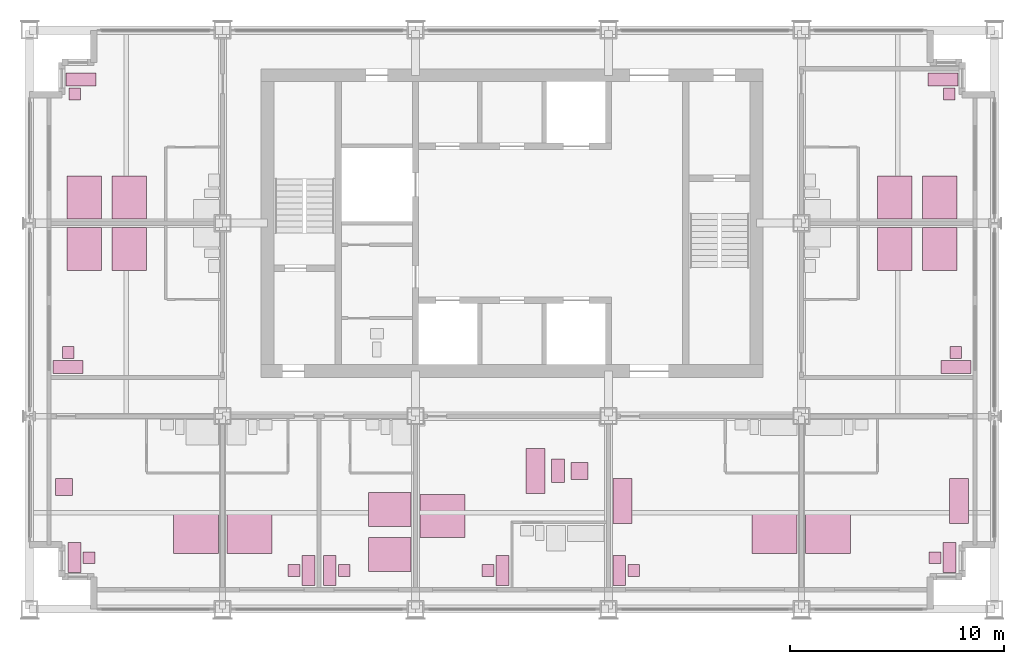
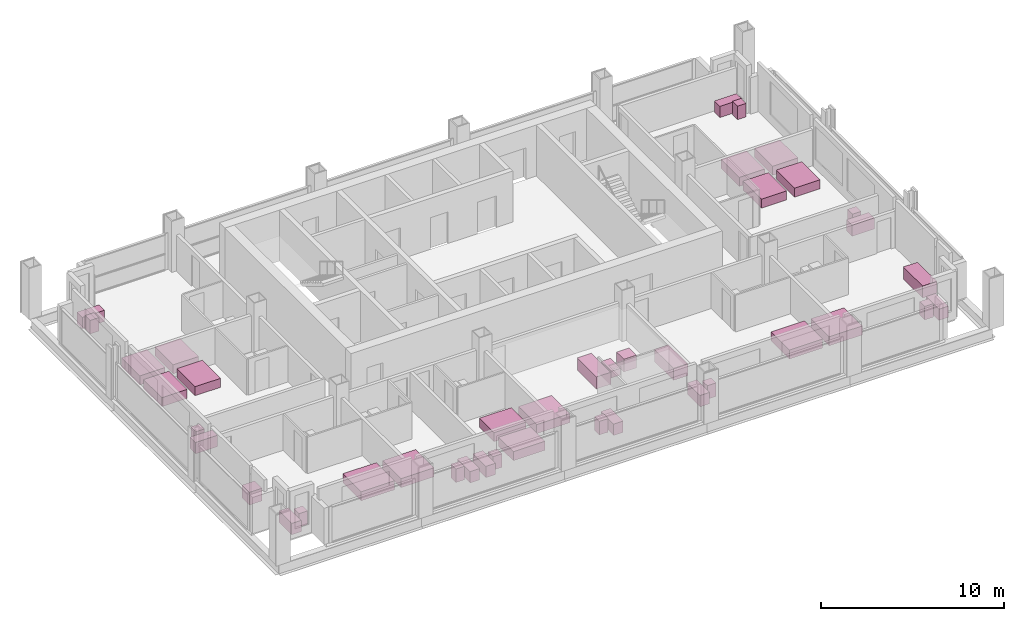
# One storey, part 13 of 13: 41 furniture elements.
"""IFC4 building model written with IfcOpenShell, lengths in metres."""

from ifc_helpers import new_model, si_unit, direction, frame, origin, origin_2d, place, context, subcontext, project, spatial, rectangle, extrude, element, save


model = new_model("IFC4")

# Units and contexts
model_context = context("Model", 3, precision=1e-05, world=origin(), true_north=direction((0.0, 1.0)))
body_context = subcontext(model_context, "Body", "Model", "MODEL_VIEW")
ifc_project = project(units=[si_unit("LENGTHUNIT", "METRE"), si_unit("AREAUNIT", "SQUARE_METRE"), si_unit("VOLUMEUNIT", "CUBIC_METRE"), si_unit("PLANEANGLEUNIT", "RADIAN"), si_unit("MASSUNIT", "GRAM", prefix="KILO")], contexts=[model_context])

# Site, building, storey
site_placement = place(None, origin())
site = spatial("IfcSite", under=ifc_project, at=site_placement, CompositionType="ELEMENT")
building_placement = place(site_placement, origin())
building = spatial("IfcBuilding", under=site, at=building_placement, Name="Loomwork Tower", CompositionType="ELEMENT")
storey_placement = place(building_placement, frame((0.0, 0.0, 187.60009765625)))
storey = spatial("IfcBuildingStorey", under=building, at=storey_placement, Name="L51", CompositionType="ELEMENT", Elevation=187.60009765625)

# Furniture
furniture_1_placement = place(storey_placement, frame((7.75, 3.60009765625, -0.000244140625), z_axis=(0.0, 0.0, 1.0), x_axis=(1.0, 0.0, 0.0)))
element("IfcFurniture", 1, at=furniture_1_placement, inside=storey, Name="King bed L51", PredefinedType="BED", context=body_context, shape_type="SweptSolid", body=[
    extrude(rectangle(XDim=2.10009765625, YDim=2.0, at=origin_2d()), origin(), (0.0, 0.0, 1.0), 0.60009765625),
])
furniture_2_placement = place(storey_placement, frame((2.10009765625, 2.39990234375, 0.0), z_axis=(0.0, 0.0, 1.0), x_axis=(1.0, 0.0, 0.0)))
element("IfcFurniture", 2, at=furniture_2_placement, inside=storey, Name="Writing desk L51", PredefinedType="DESK", context=body_context, shape_type="SweptSolid", body=[
    extrude(rectangle(XDim=0.60009765625, YDim=1.39990234375, at=origin_2d()), origin(), (0.0, 0.0, 1.0), 0.75),
])
furniture_3_placement = place(storey_placement, frame((2.77490234375, 2.39990234375, 0.0), z_axis=(0.0, 0.0, 1.0), x_axis=(1.0, 0.0, 0.0)))
element("IfcFurniture", 3, at=furniture_3_placement, inside=storey, Name="Desk chair L51", PredefinedType="CHAIR", context=body_context, shape_type="SweptSolid", body=[
    extrude(rectangle(XDim=0.550048828125, YDim=0.550048828125, at=origin_2d()), origin(), (0.0, 0.0, 1.0), 0.89990234375),
])
furniture_4_placement = place(storey_placement, frame((1.60009765625, 5.699951171875, -0.000244140625), z_axis=(0.0, 0.0, 1.0), x_axis=(1.0, 0.0, 0.0)))
element("IfcFurniture", 4, at=furniture_4_placement, inside=storey, Name="Lounge armchair L51", PredefinedType="CHAIR", context=body_context, shape_type="SweptSolid", body=[
    extrude(rectangle(XDim=0.800048828125, YDim=0.800048828125, at=origin_2d()), origin(), (0.0, 0.0, 1.0), 0.85009765625),
])
furniture_5_placement = place(storey_placement, frame((10.25, 3.60009765625, -0.000244140625), z_axis=(0.0, 0.0, 1.0), x_axis=(1.0, 0.0, 0.0)))
element("IfcFurniture", 5, at=furniture_5_placement, inside=storey, Name="King bed L51", PredefinedType="BED", context=body_context, shape_type="SweptSolid", body=[
    extrude(rectangle(XDim=2.10009765625, YDim=2.0, at=origin_2d()), origin(), (0.0, 0.0, 1.0), 0.60009765625),
])
furniture_6_placement = place(storey_placement, frame((13.0, 1.800048828125, 0.0), z_axis=(0.0, 0.0, 1.0), x_axis=(1.0, 0.0, 0.0)))
element("IfcFurniture", 6, at=furniture_6_placement, inside=storey, Name="Writing desk L51", PredefinedType="DESK", context=body_context, shape_type="SweptSolid", body=[
    extrude(rectangle(XDim=0.60009765625, YDim=1.39990234375, at=origin_2d()), origin(), (0.0, 0.0, 1.0), 0.75),
])
furniture_7_placement = place(storey_placement, frame((12.324951171875, 1.800048828125, 0.0), z_axis=(0.0, 0.0, 1.0), x_axis=(1.0, 0.0, 0.0)))
element("IfcFurniture", 7, at=furniture_7_placement, inside=storey, Name="Desk chair L51", PredefinedType="CHAIR", context=body_context, shape_type="SweptSolid", body=[
    extrude(rectangle(XDim=0.550048828125, YDim=0.550048828125, at=origin_2d()), origin(), (0.0, 0.0, 1.0), 0.89990234375),
])
for number, where, z_axis, x_axis, name in (
    (8, (16.800048828125, 4.64990234375, -0.000244140625), (0.0, 0.0, 1.0), (1.0, 0.0, 0.0), "Queen bed L51"),
    (9, (16.800048828125, 2.550048828125, -0.000244140625), (0.0, 0.0, 1.0), (1.0, 0.0, 0.0), "Queen bed L51"),
):
    element("IfcFurniture", number, at=place(storey_placement, frame(where, z_axis=z_axis, x_axis=x_axis)), inside=storey, Name=name, PredefinedType="BED", context=body_context, shape_type="SweptSolid", body=[
        extrude(rectangle(XDim=2.0, YDim=1.60009765625, at=origin_2d()), origin(), (0.0, 0.0, 1.0), 0.60009765625),
    ])
furniture_8_placement = place(storey_placement, frame((14.0, 1.800048828125, 0.0), z_axis=(0.0, 0.0, 1.0), x_axis=(1.0, 0.0, 0.0)))
element("IfcFurniture", 10, at=furniture_8_placement, inside=storey, Name="Writing desk L51", PredefinedType="DESK", context=body_context, shape_type="SweptSolid", body=[
    extrude(rectangle(XDim=0.60009765625, YDim=1.39990234375, at=origin_2d()), origin(), (0.0, 0.0, 1.0), 0.75),
])
furniture_9_placement = place(storey_placement, frame((14.675048828125, 1.800048828125, 0.0), z_axis=(0.0, 0.0, 1.0), x_axis=(1.0, 0.0, 0.0)))
element("IfcFurniture", 11, at=furniture_9_placement, inside=storey, Name="Desk chair L51", PredefinedType="CHAIR", context=body_context, shape_type="SweptSolid", body=[
    extrude(rectangle(XDim=0.550048828125, YDim=0.550048828125, at=origin_2d()), origin(), (0.0, 0.0, 1.0), 0.89990234375),
])
furniture_10_placement = place(storey_placement, frame((19.25, 4.35009765625, -0.000244140625), z_axis=(0.0, 0.0, 1.0), x_axis=(1.0, 0.0, 0.0)))
element("IfcFurniture", 12, at=furniture_10_placement, inside=storey, Name="King bed L51", PredefinedType="BED", context=body_context, shape_type="SweptSolid", body=[
    extrude(rectangle(XDim=2.10009765625, YDim=2.0, at=origin_2d()), origin(), (0.0, 0.0, 1.0), 0.60009765625),
])
furniture_11_placement = place(storey_placement, frame((22.050048828125, 1.800048828125, 0.0), z_axis=(0.0, 0.0, 1.0), x_axis=(1.0, 0.0, 0.0)))
element("IfcFurniture", 13, at=furniture_11_placement, inside=storey, Name="Writing desk L51", PredefinedType="DESK", context=body_context, shape_type="SweptSolid", body=[
    extrude(rectangle(XDim=0.60009765625, YDim=1.39990234375, at=origin_2d()), origin(), (0.0, 0.0, 1.0), 0.75),
])
furniture_12_placement = place(storey_placement, frame((21.375, 1.800048828125, 0.0), z_axis=(0.0, 0.0, 1.0), x_axis=(1.0, 0.0, 0.0)))
element("IfcFurniture", 14, at=furniture_12_placement, inside=storey, Name="Desk chair L51", PredefinedType="CHAIR", context=body_context, shape_type="SweptSolid", body=[
    extrude(rectangle(XDim=0.550048828125, YDim=0.550048828125, at=origin_2d()), origin(), (0.0, 0.0, 1.0), 0.89990234375),
])
furniture_13_placement = place(storey_placement, frame((23.60009765625, 6.449951171875, 0.0), z_axis=(0.0, 0.0, 1.0), x_axis=(1.0, 0.0, 0.0)))
element("IfcFurniture", 15, at=furniture_13_placement, inside=storey, Name="Sofa L51", PredefinedType="SOFA", context=body_context, shape_type="SweptSolid", body=[
    extrude(rectangle(XDim=0.89990234375, YDim=2.10009765625, at=origin_2d()), origin(), (0.0, 0.0, 1.0), 0.800048828125),
])
furniture_14_placement = place(storey_placement, frame((24.64990234375, 6.449951171875, 0.0), z_axis=(0.0, 0.0, 1.0), x_axis=(1.0, 0.0, 0.0)))
element("IfcFurniture", 16, at=furniture_14_placement, inside=storey, Name="Coffee table L51", PredefinedType="TABLE", context=body_context, shape_type="SweptSolid", body=[
    extrude(rectangle(XDim=0.60009765625, YDim=1.10009765625, at=origin_2d()), origin(), (0.0, 0.0, 1.0), 0.449951171875),
])
furniture_15_placement = place(storey_placement, frame((25.64990234375, 6.449951171875, -0.000244140625), z_axis=(0.0, 0.0, 1.0), x_axis=(1.0, 0.0, 0.0)))
element("IfcFurniture", 17, at=furniture_15_placement, inside=storey, Name="Lounge armchair L51", PredefinedType="CHAIR", context=body_context, shape_type="SweptSolid", body=[
    extrude(rectangle(XDim=0.800048828125, YDim=0.800048828125, at=origin_2d()), origin(), (0.0, 0.0, 1.0), 0.85009765625),
])
furniture_16_placement = place(storey_placement, frame((34.75, 3.60009765625, -0.000244140625), z_axis=(0.0, 0.0, 1.0), x_axis=(1.0, 0.0, 0.0)))
element("IfcFurniture", 18, at=furniture_16_placement, inside=storey, Name="King bed L51", PredefinedType="BED", context=body_context, shape_type="SweptSolid", body=[
    extrude(rectangle(XDim=2.10009765625, YDim=2.0, at=origin_2d()), origin(), (0.0, 0.0, 1.0), 0.60009765625),
])
furniture_17_placement = place(storey_placement, frame((27.5, 1.800048828125, 0.0), z_axis=(0.0, 0.0, 1.0), x_axis=(1.0, 0.0, 0.0)))
element("IfcFurniture", 19, at=furniture_17_placement, inside=storey, Name="Writing desk L51", PredefinedType="DESK", context=body_context, shape_type="SweptSolid", body=[
    extrude(rectangle(XDim=0.60009765625, YDim=1.39990234375, at=origin_2d()), origin(), (0.0, 0.0, 1.0), 0.75),
])
furniture_18_placement = place(storey_placement, frame((28.175048828125, 1.800048828125, 0.0), z_axis=(0.0, 0.0, 1.0), x_axis=(1.0, 0.0, 0.0)))
element("IfcFurniture", 20, at=furniture_18_placement, inside=storey, Name="Desk chair L51", PredefinedType="CHAIR", context=body_context, shape_type="SweptSolid", body=[
    extrude(rectangle(XDim=0.550048828125, YDim=0.550048828125, at=origin_2d()), origin(), (0.0, 0.0, 1.0), 0.89990234375),
])
furniture_19_placement = place(storey_placement, frame((27.64990234375, 5.050048828125, 0.0), z_axis=(0.0, 0.0, 1.0), x_axis=(1.0, 0.0, 0.0)))
element("IfcFurniture", 21, at=furniture_19_placement, inside=storey, Name="Sofa L51", PredefinedType="SOFA", context=body_context, shape_type="SweptSolid", body=[
    extrude(rectangle(XDim=0.89990234375, YDim=2.10009765625, at=origin_2d()), origin(), (0.0, 0.0, 1.0), 0.800048828125),
])
furniture_20_placement = place(storey_placement, frame((37.25, 3.60009765625, -0.000244140625), z_axis=(0.0, 0.0, 1.0), x_axis=(1.0, 0.0, 0.0)))
element("IfcFurniture", 22, at=furniture_20_placement, inside=storey, Name="King bed L51", PredefinedType="BED", context=body_context, shape_type="SweptSolid", body=[
    extrude(rectangle(XDim=2.10009765625, YDim=2.0, at=origin_2d()), origin(), (0.0, 0.0, 1.0), 0.60009765625),
])
furniture_21_placement = place(storey_placement, frame((42.89990234375, 2.39990234375, 0.0), z_axis=(0.0, 0.0, 1.0), x_axis=(1.0, 0.0, 0.0)))
element("IfcFurniture", 23, at=furniture_21_placement, inside=storey, Name="Writing desk L51", PredefinedType="DESK", context=body_context, shape_type="SweptSolid", body=[
    extrude(rectangle(XDim=0.60009765625, YDim=1.39990234375, at=origin_2d()), origin(), (0.0, 0.0, 1.0), 0.75),
])
furniture_22_placement = place(storey_placement, frame((42.22509765625, 2.39990234375, 0.0), z_axis=(0.0, 0.0, 1.0), x_axis=(1.0, 0.0, 0.0)))
element("IfcFurniture", 24, at=furniture_22_placement, inside=storey, Name="Desk chair L51", PredefinedType="CHAIR", context=body_context, shape_type="SweptSolid", body=[
    extrude(rectangle(XDim=0.550048828125, YDim=0.550048828125, at=origin_2d()), origin(), (0.0, 0.0, 1.0), 0.89990234375),
])
furniture_23_placement = place(storey_placement, frame((43.35009765625, 5.050048828125, 0.0), z_axis=(0.0, 0.0, 1.0), x_axis=(1.0, 0.0, 0.0)))
element("IfcFurniture", 25, at=furniture_23_placement, inside=storey, Name="Sofa L51", PredefinedType="SOFA", context=body_context, shape_type="SweptSolid", body=[
    extrude(rectangle(XDim=0.89990234375, YDim=2.10009765625, at=origin_2d()), origin(), (0.0, 0.0, 1.0), 0.800048828125),
])
for number, where, z_axis, x_axis, name in (
    (26, (4.64990234375, 16.800048828125, -0.000244140625), (0.0, 0.0, 1.0), (1.0, 0.0, 0.0), "Queen bed L51"),
    (27, (2.550048828125, 16.800048828125, -0.000244140625), (0.0, 0.0, 1.0), (1.0, 0.0, 0.0), "Queen bed L51"),
):
    element("IfcFurniture", number, at=place(storey_placement, frame(where, z_axis=z_axis, x_axis=x_axis)), inside=storey, Name=name, PredefinedType="BED", context=body_context, shape_type="SweptSolid", body=[
        extrude(rectangle(XDim=1.60009765625, YDim=2.0, at=origin_2d()), origin(), (0.0, 0.0, 1.0), 0.60009765625),
    ])
furniture_24_placement = place(storey_placement, frame((1.800048828125, 11.300048828125, 0.0), z_axis=(0.0, 0.0, 1.0), x_axis=(1.0, 0.0, 0.0)))
element("IfcFurniture", 28, at=furniture_24_placement, inside=storey, Name="Writing desk L51", PredefinedType="DESK", context=body_context, shape_type="SweptSolid", body=[
    extrude(rectangle(XDim=1.39990234375, YDim=0.60009765625, at=origin_2d()), origin(), (0.0, 0.0, 1.0), 0.75),
])
furniture_25_placement = place(storey_placement, frame((1.800048828125, 11.97509765625, 0.0), z_axis=(0.0, 0.0, 1.0), x_axis=(1.0, 0.0, 0.0)))
element("IfcFurniture", 29, at=furniture_25_placement, inside=storey, Name="Desk chair L51", PredefinedType="CHAIR", context=body_context, shape_type="SweptSolid", body=[
    extrude(rectangle(XDim=0.550048828125, YDim=0.550048828125, at=origin_2d()), origin(), (0.0, 0.0, 1.0), 0.89990234375),
])
for number, where, z_axis, x_axis, name in (
    (30, (4.64990234375, 19.199951171875, -0.000244140625), (0.0, 0.0, 1.0), (1.0, 0.0, 0.0), "Queen bed L51"),
    (31, (2.550048828125, 19.199951171875, -0.000244140625), (0.0, 0.0, 1.0), (1.0, 0.0, 0.0), "Queen bed L51"),
):
    element("IfcFurniture", number, at=place(storey_placement, frame(where, z_axis=z_axis, x_axis=x_axis)), inside=storey, Name=name, PredefinedType="BED", context=body_context, shape_type="SweptSolid", body=[
        extrude(rectangle(XDim=1.60009765625, YDim=2.0, at=origin_2d()), origin(), (0.0, 0.0, 1.0), 0.60009765625),
    ])
furniture_26_placement = place(storey_placement, frame((2.39990234375, 24.699951171875, 0.0), z_axis=(0.0, 0.0, 1.0), x_axis=(1.0, 0.0, 0.0)))
element("IfcFurniture", 32, at=furniture_26_placement, inside=storey, Name="Writing desk L51", PredefinedType="DESK", context=body_context, shape_type="SweptSolid", body=[
    extrude(rectangle(XDim=1.39990234375, YDim=0.60009765625, at=origin_2d()), origin(), (0.0, 0.0, 1.0), 0.75),
])
furniture_27_placement = place(storey_placement, frame((2.10009765625, 24.02490234375, 0.0), z_axis=(0.0, 0.0, 1.0), x_axis=(1.0, 0.0, 0.0)))
element("IfcFurniture", 33, at=furniture_27_placement, inside=storey, Name="Desk chair L51", PredefinedType="CHAIR", context=body_context, shape_type="SweptSolid", body=[
    extrude(rectangle(XDim=0.550048828125, YDim=0.550048828125, at=origin_2d()), origin(), (0.0, 0.0, 1.0), 0.89990234375),
])
for number, where, z_axis, x_axis, name in (
    (34, (40.35009765625, 16.800048828125, -0.000244140625), (0.0, 0.0, 1.0), (1.0, 0.0, 0.0), "Queen bed L51"),
    (35, (42.449951171875, 16.800048828125, -0.000244140625), (0.0, 0.0, 1.0), (1.0, 0.0, 0.0), "Queen bed L51"),
):
    element("IfcFurniture", number, at=place(storey_placement, frame(where, z_axis=z_axis, x_axis=x_axis)), inside=storey, Name=name, PredefinedType="BED", context=body_context, shape_type="SweptSolid", body=[
        extrude(rectangle(XDim=1.60009765625, YDim=2.0, at=origin_2d()), origin(), (0.0, 0.0, 1.0), 0.60009765625),
    ])
furniture_28_placement = place(storey_placement, frame((43.199951171875, 11.300048828125, 0.0), z_axis=(0.0, 0.0, 1.0), x_axis=(1.0, 0.0, 0.0)))
element("IfcFurniture", 36, at=furniture_28_placement, inside=storey, Name="Writing desk L51", PredefinedType="DESK", context=body_context, shape_type="SweptSolid", body=[
    extrude(rectangle(XDim=1.39990234375, YDim=0.60009765625, at=origin_2d()), origin(), (0.0, 0.0, 1.0), 0.75),
])
furniture_29_placement = place(storey_placement, frame((43.199951171875, 11.97509765625, 0.0), z_axis=(0.0, 0.0, 1.0), x_axis=(1.0, 0.0, 0.0)))
element("IfcFurniture", 37, at=furniture_29_placement, inside=storey, Name="Desk chair L51", PredefinedType="CHAIR", context=body_context, shape_type="SweptSolid", body=[
    extrude(rectangle(XDim=0.550048828125, YDim=0.550048828125, at=origin_2d()), origin(), (0.0, 0.0, 1.0), 0.89990234375),
])
for number, where, z_axis, x_axis, name in (
    (38, (40.35009765625, 19.199951171875, -0.000244140625), (0.0, 0.0, 1.0), (1.0, 0.0, 0.0), "Queen bed L51"),
    (39, (42.449951171875, 19.199951171875, -0.000244140625), (0.0, 0.0, 1.0), (1.0, 0.0, 0.0), "Queen bed L51"),
):
    element("IfcFurniture", number, at=place(storey_placement, frame(where, z_axis=z_axis, x_axis=x_axis)), inside=storey, Name=name, PredefinedType="BED", context=body_context, shape_type="SweptSolid", body=[
        extrude(rectangle(XDim=1.60009765625, YDim=2.0, at=origin_2d()), origin(), (0.0, 0.0, 1.0), 0.60009765625),
    ])
furniture_30_placement = place(storey_placement, frame((42.60009765625, 24.699951171875, 0.0), z_axis=(0.0, 0.0, 1.0), x_axis=(1.0, 0.0, 0.0)))
element("IfcFurniture", 40, at=furniture_30_placement, inside=storey, Name="Writing desk L51", PredefinedType="DESK", context=body_context, shape_type="SweptSolid", body=[
    extrude(rectangle(XDim=1.39990234375, YDim=0.60009765625, at=origin_2d()), origin(), (0.0, 0.0, 1.0), 0.75),
])
furniture_31_placement = place(storey_placement, frame((42.89990234375, 24.02490234375, 0.0), z_axis=(0.0, 0.0, 1.0), x_axis=(1.0, 0.0, 0.0)))
element("IfcFurniture", 41, at=furniture_31_placement, inside=storey, Name="Desk chair L51", PredefinedType="CHAIR", context=body_context, shape_type="SweptSolid", body=[
    extrude(rectangle(XDim=0.550048828125, YDim=0.550048828125, at=origin_2d()), origin(), (0.0, 0.0, 1.0), 0.89990234375),
])

save(model, "model.ifc")
